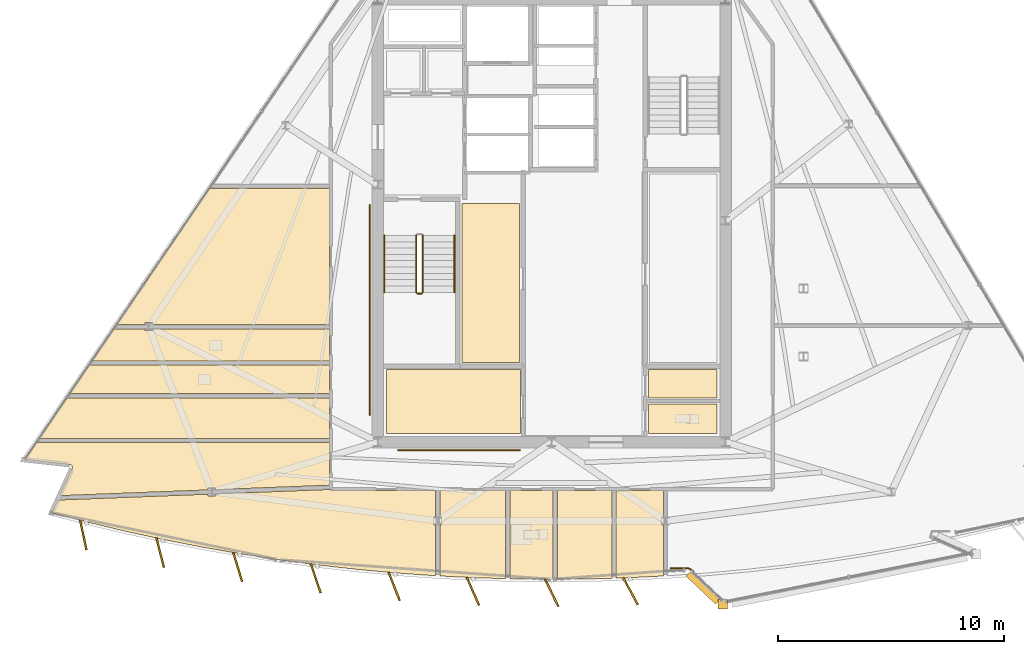
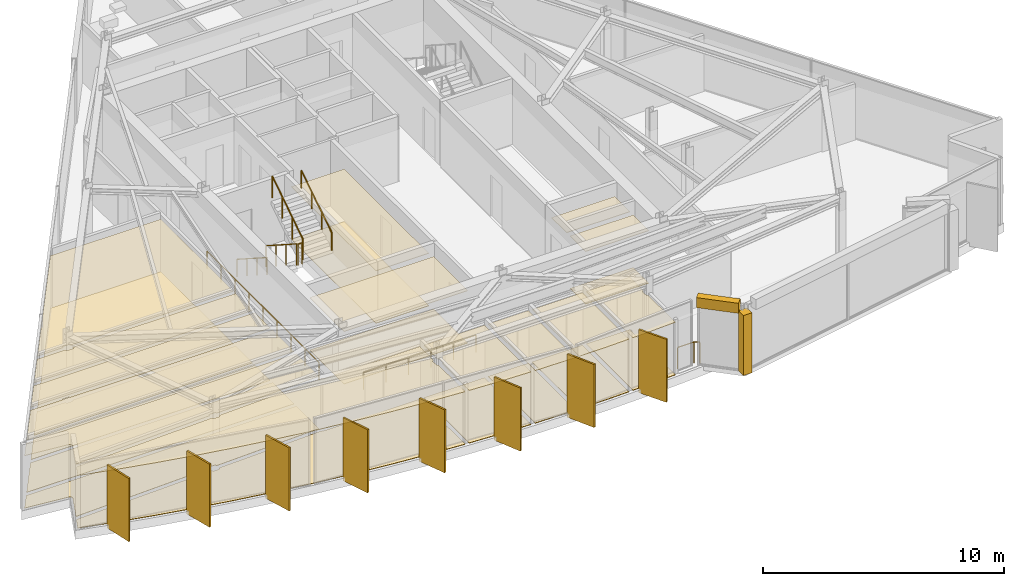
# One storey, part 11 of 14: 29 coverings, 8 railings, 8 shading devices.
"""IFC4 building model written with IfcOpenShell, lengths in metres."""

from ifc_helpers import new_model, si_unit, direction, frame, origin, origin_2d, place, context, subcontext, project, spatial, polyline, rectangle, circle, outline, extrude, material, layer, layer_set, type_object, element, save


model = new_model("IFC4")

# Units and contexts
model_context = context("Model", 3, precision=1e-05, world=origin(), true_north=direction((0.0, 1.0)))
body_context = subcontext(model_context, "Body", "Model", "MODEL_VIEW")
ifc_project = project(units=[si_unit("LENGTHUNIT", "METRE"), si_unit("AREAUNIT", "SQUARE_METRE"), si_unit("VOLUMEUNIT", "CUBIC_METRE"), si_unit("PLANEANGLEUNIT", "RADIAN"), si_unit("MASSUNIT", "GRAM", prefix="KILO")], contexts=[model_context])

# Site, building, storey
site_placement = place(None, origin())
site = spatial("IfcSite", under=ifc_project, at=site_placement, CompositionType="ELEMENT")
building_placement = place(site_placement, origin())
building = spatial("IfcBuilding", under=site, at=building_placement, Name="Savorim Split Tower", CompositionType="ELEMENT")
storey_placement = place(building_placement, frame((0.0, 0.0, 294.0)))
storey = spatial("IfcBuildingStorey", under=building, at=storey_placement, Name="L78", CompositionType="ELEMENT", Elevation=294.0)

# Coverings
ifc_material_1 = material(Name="Mineral Fibre Acoustic Ceiling")
ifc_layer_1 = layer(ifc_material_1, 0.02490234375)
ifc_layer_set_1 = layer_set([ifc_layer_1], Name="COV-CEIL-25")
covering_type_1 = type_object("IfcCoveringType", Name="COV-CEIL-25", PredefinedType="CEILING", material=ifc_layer_set_1)
covering_1_placement = place(storey_placement, frame((0.0, 0.0, 2.659912109375)))
element("IfcCovering", 1, at=covering_1_placement, inside=storey, type_object=covering_type_1, Name="L78 Housekeeping and Parcel Room Acoustic Ceiling", PredefinedType="CEILING", context=body_context, shape_type="SweptSolid", body=[
    extrude(outline(polyline([(-3.969970703125, 1.169921875), (-3.969970703125, -5.8701171875), (-1.429931640625, -5.8701171875), (-1.429931640625, 1.169921875), (-3.969970703125, 1.169921875)])), origin(), (0.0, 0.0, 1.0), 0.025146484375),
])
covering_2_placement = place(storey_placement, frame((0.0, 0.0, 2.659912109375)))
element("IfcCovering", 2, at=covering_2_placement, inside=storey, type_object=covering_type_1, Name="L78 Housekeeping Store Acoustic Ceiling", PredefinedType="CEILING", context=body_context, shape_type="SweptSolid", body=[
    extrude(outline(polyline([(-7.320068359375, -6.179931640625), (-7.320068359375, -9.02001953125), (-1.3798828125, -9.02001953125), (-1.3798828125, -6.179931640625), (-7.320068359375, -6.179931640625)])), origin(), (0.0, 0.0, 1.0), 0.025146484375),
])
covering_3_placement = place(storey_placement, frame((0.0, 0.0, 2.659912109375)))
element("IfcCovering", 3, at=covering_3_placement, inside=storey, type_object=covering_type_1, Name="L78 Accessible WC Acoustic Ceiling", PredefinedType="CEILING", context=body_context, shape_type="SweptSolid", body=[
    extrude(outline(polyline([(4.280029296875, -7.719970703125), (4.280029296875, -9.02001953125), (7.320068359375, -9.02001953125), (7.320068359375, -7.719970703125), (4.280029296875, -7.719970703125)])), origin(), (0.0, 0.0, 1.0), 0.025146484375),
])
covering_4_placement = place(storey_placement, frame((0.0, 0.0, 2.659912109375)))
element("IfcCovering", 4, at=covering_4_placement, inside=storey, type_object=covering_type_1, Name="L78 Cleaning Store Acoustic Ceiling", PredefinedType="CEILING", context=body_context, shape_type="SweptSolid", body=[
    extrude(outline(polyline([(4.280029296875, -6.179931640625), (4.280029296875, -7.43994140625), (7.320068359375, -7.43994140625), (7.320068359375, -6.179931640625), (4.280029296875, -6.179931640625)])), origin(), (0.0, 0.0, 1.0), 0.025146484375),
])
covering_5_placement = place(storey_placement, frame((0.0, 0.0, 2.659912109375)))
element("IfcCovering", 5, at=covering_5_placement, inside=storey, type_object=covering_type_1, Name="L78 Communal Lounge Acoustic Ceiling", PredefinedType="CEILING", context=body_context, shape_type="SweptSolid", body=[
    extrude(outline(polyline([(-17.67578125, -4.11376953125), (-17.67578125, -4.193603515625), (-9.840087890625, -4.193603515625), (-9.840087890625, 1.8349609375), (-15.15087890625, 1.8349609375), (-19.252197265625, -4.193603515625), (-18.0048828125, -4.193603515625), (-18.0048828125, -4.11376953125), (-17.67578125, -4.11376953125)])), origin(), (0.0, 0.0, 1.0), 0.025146484375),
])
covering_6_placement = place(storey_placement, frame((0.0, 0.0, 2.659912109375)))
element("IfcCovering", 6, at=covering_6_placement, inside=storey, type_object=covering_type_1, Name="L78 Shared Kitchen Acoustic Ceiling", PredefinedType="CEILING", context=body_context, shape_type="SweptSolid", body=[
    extrude(outline(polyline([(-19.25634765625, -4.3837890625), (-19.351318359375, -4.3837890625), (-19.351318359375, -4.33935546875), (-20.343505859375, -5.798095703125), (-9.840087890625, -5.798095703125), (-9.840087890625, -4.3837890625), (-17.67578125, -4.3837890625), (-17.67578125, -4.463623046875), (-18.0048828125, -4.463623046875), (-18.0048828125, -4.3837890625), (-19.25634765625, -4.3837890625)])), origin(), (0.0, 0.0, 1.0), 0.025146484375),
])
covering_7_placement = place(storey_placement, frame((0.0, 0.0, 2.659912109375)))
element("IfcCovering", 7, at=covering_7_placement, inside=storey, type_object=covering_type_1, Name="L78 Community Laundry Room Acoustic Ceiling", PredefinedType="CEILING", context=body_context, shape_type="SweptSolid", body=[
    extrude(outline(polyline([(-9.840087890625, -7.256103515625), (-9.840087890625, -5.988037109375), (-20.472900390625, -5.988037109375), (-21.33544921875, -7.256103515625), (-9.840087890625, -7.256103515625)])), origin(), (0.0, 0.0, 1.0), 0.025146484375),
])
covering_8_placement = place(storey_placement, frame((0.0, 0.0, 2.659912109375)))
element("IfcCovering", 8, at=covering_8_placement, inside=storey, type_object=covering_type_1, Name="L78 Quiet Study Room Acoustic Ceiling", PredefinedType="CEILING", context=body_context, shape_type="SweptSolid", body=[
    extrude(outline(polyline([(-9.840087890625, -9.228271484375), (-9.840087890625, -7.446044921875), (-21.464599609375, -7.446044921875), (-22.677001953125, -9.228271484375), (-9.840087890625, -9.228271484375)])), origin(), (0.0, 0.0, 1.0), 0.025146484375),
])
covering_9_placement = place(storey_placement, frame((0.0, 0.0, 2.659912109375)))
element("IfcCovering", 9, at=covering_9_placement, inside=storey, type_object=covering_type_1, Name="L78 Quiet Study Room Acoustic Ceiling", PredefinedType="CEILING", context=body_context, shape_type="SweptSolid", body=[
    extrude(outline(polyline([(-21.21337890625, -10.5068359375), (-21.21337890625, -10.518798828125), (-21.214111328125, -10.530517578125), (-21.21630859375, -10.54248046875), (-21.2197265625, -10.5537109375), (-21.22412109375, -10.56494140625), (-21.77685546875, -11.767822265625), (-15.20166015625, -11.5126953125), (-15.20166015625, -11.426513671875), (-14.872802734375, -11.426513671875), (-14.872802734375, -11.5), (-9.843505859375, -11.30517578125), (-9.840087890625, -11.304931640625), (-9.840087890625, -9.418212890625), (-22.806396484375, -9.418212890625), (-23.3193359375, -10.172119140625), (-21.31982421875, -10.3955078125), (-21.30810546875, -10.3974609375), (-21.296630859375, -10.400390625), (-21.285400390625, -10.40478515625), (-21.274658203125, -10.409912109375), (-21.2646484375, -10.41650390625), (-21.255126953125, -10.423583984375), (-21.24658203125, -10.431884765625), (-21.23876953125, -10.44091796875), (-21.231689453125, -10.45068359375), (-21.225830078125, -10.4609375), (-21.22119140625, -10.471923828125), (-21.21728515625, -10.4833984375), (-21.21484375, -10.494873046875), (-21.21337890625, -10.5068359375)])), origin(), (0.0, 0.0, 1.0), 0.025146484375),
])
covering_10_placement = place(storey_placement, frame((0.0, 0.0, 2.659912109375)))
element("IfcCovering", 10, at=covering_10_placement, inside=storey, type_object=covering_type_1, Name="L78 Maker Workshop Acoustic Ceiling", PredefinedType="CEILING", context=body_context, shape_type="SweptSolid", body=[
    extrude(outline(polyline([(-10.37109375, -14.83154296875), (-8.649169921875, -15.026123046875), (-6.923583984375, -15.185546875), (-5.1953125, -15.3095703125), (-5.134765625, -15.3125), (-5.134765625, -13.06005859375), (-5.2041015625, -13.06005859375), (-5.2041015625, -12.710205078125), (-5.134765625, -12.710205078125), (-5.134765625, -11.5400390625), (-9.699951171875, -11.5400390625), (-9.713623046875, -11.539306640625), (-9.727294921875, -11.537353515625), (-9.740478515625, -11.533935546875), (-9.753662109375, -11.529296875), (-9.76611328125, -11.5234375), (-9.77783203125, -11.516357421875), (-9.788818359375, -11.50830078125), (-9.799072265625, -11.4990234375), (-9.8037109375, -11.49365234375), (-14.872802734375, -11.690185546875), (-14.872802734375, -11.776611328125), (-15.20166015625, -11.776611328125), (-15.20166015625, -11.702880859375), (-21.761474609375, -11.957275390625), (-21.8564453125, -11.9609375), (-21.857177734375, -11.942626953125), (-22.125244140625, -12.526123046875), (-20.5859375, -12.9287109375), (-18.90087890625, -13.332763671875), (-17.2080078125, -13.7021484375), (-15.5078125, -14.036865234375), (-13.801025390625, -14.3369140625), (-12.088623046875, -14.601806640625), (-10.37109375, -14.83154296875)])), origin(), (0.0, 0.0, 1.0), 0.025146484375),
])
covering_11_placement = place(storey_placement, frame((0.0, 0.0, 2.659912109375)))
element("IfcCovering", 11, at=covering_11_placement, inside=storey, type_object=covering_type_1, Name="L78 Quiet Study Room Acoustic Ceiling", PredefinedType="CEILING", context=body_context, shape_type="SweptSolid", body=[
    extrude(outline(polyline([(-4.944580078125, -15.267333984375), (-4.944580078125, -15.322265625), (-3.46484375, -15.398193359375), (-2.041015625, -15.44189453125), (-2.041015625, -11.5400390625), (-4.944580078125, -11.5400390625), (-4.944580078125, -12.710205078125), (-4.875244140625, -12.710205078125), (-4.875244140625, -13.06005859375), (-4.944580078125, -13.06005859375), (-4.944580078125, -15.267333984375)])), origin(), (0.0, 0.0, 1.0), 0.025146484375),
])
covering_12_placement = place(storey_placement, frame((0.0, 0.0, 2.659912109375)))
element("IfcCovering", 12, at=covering_12_placement, inside=storey, type_object=covering_type_1, Name="L78 Shared Bathroom Acoustic Ceiling", PredefinedType="CEILING", context=body_context, shape_type="SweptSolid", body=[
    extrude(outline(polyline([(-1.85107421875, -15.447509765625), (-1.732666015625, -15.451171875), (0.0, -15.468994140625), (0.0673828125, -15.46826171875), (0.0673828125, -11.5400390625), (-1.85107421875, -11.5400390625), (-1.85107421875, -15.447509765625)])), origin(), (0.0, 0.0, 1.0), 0.025146484375),
])
covering_13_placement = place(storey_placement, frame((0.0, 0.0, 2.659912109375)))
element("IfcCovering", 13, at=covering_13_placement, inside=storey, type_object=covering_type_1, Name="L78 Quiet Study Room Acoustic Ceiling", PredefinedType="CEILING", context=body_context, shape_type="SweptSolid", body=[
    extrude(outline(polyline([(0.257568359375, -11.5400390625), (0.257568359375, -15.46630859375), (1.732666015625, -15.451171875), (2.668701171875, -15.422607421875), (2.668701171875, -11.5400390625), (0.257568359375, -11.5400390625)])), origin(), (0.0, 0.0, 1.0), 0.025146484375),
])
covering_14_placement = place(storey_placement, frame((0.0, 0.0, 2.659912109375)))
element("IfcCovering", 14, at=covering_14_placement, inside=storey, type_object=covering_type_1, Name="L78 Co-Living Bedroom Acoustic Ceiling", PredefinedType="CEILING", context=body_context, shape_type="SweptSolid", body=[
    extrude(outline(polyline([(4.944580078125, -11.5400390625), (2.858642578125, -11.5400390625), (2.858642578125, -15.416748046875), (3.46484375, -15.398193359375), (4.944580078125, -15.322265625), (4.944580078125, -13.06005859375), (4.875244140625, -13.06005859375), (4.875244140625, -12.710205078125), (4.944580078125, -12.710205078125), (4.944580078125, -11.5400390625)])), origin(), (0.0, 0.0, 1.0), 0.025146484375),
])
ifc_material_2 = material(Name="Porcelain Stoneware Flooring", Category="masonry")
ifc_layer_2 = layer(ifc_material_2, 0.02001953125)
ifc_layer_set_2 = layer_set([ifc_layer_2], Name="COV-FLOR-20")
covering_type_2 = type_object("IfcCoveringType", Name="COV-FLOR-20", PredefinedType="FLOORING", material=ifc_layer_set_2)
covering_15_placement = place(storey_placement, origin())
element("IfcCovering", 15, at=covering_15_placement, inside=storey, type_object=covering_type_2, Name="L78 Housekeeping and Parcel Room Porcelain Flooring", PredefinedType="FLOORING", context=body_context, shape_type="SweptSolid", body=[
    extrude(outline(polyline([(-3.969970703125, 1.169921875), (-3.969970703125, -5.8701171875), (-1.429931640625, -5.8701171875), (-1.429931640625, 1.169921875), (-3.969970703125, 1.169921875)])), origin(), (0.0, 0.0, 1.0), 0.02001953125),
])
covering_16_placement = place(storey_placement, origin())
element("IfcCovering", 16, at=covering_16_placement, inside=storey, type_object=covering_type_2, Name="L78 Housekeeping Store Porcelain Flooring", PredefinedType="FLOORING", context=body_context, shape_type="SweptSolid", body=[
    extrude(outline(polyline([(-7.320068359375, -6.179931640625), (-7.320068359375, -9.02001953125), (-1.3798828125, -9.02001953125), (-1.3798828125, -6.179931640625), (-7.320068359375, -6.179931640625)])), origin(), (0.0, 0.0, 1.0), 0.02001953125),
])
covering_17_placement = place(storey_placement, origin())
element("IfcCovering", 17, at=covering_17_placement, inside=storey, type_object=covering_type_2, Name="L78 Accessible WC Porcelain Flooring", PredefinedType="FLOORING", context=body_context, shape_type="SweptSolid", body=[
    extrude(outline(polyline([(4.280029296875, -7.719970703125), (4.280029296875, -9.02001953125), (7.320068359375, -9.02001953125), (7.320068359375, -7.719970703125), (4.280029296875, -7.719970703125)])), origin(), (0.0, 0.0, 1.0), 0.02001953125),
])
covering_18_placement = place(storey_placement, origin())
element("IfcCovering", 18, at=covering_18_placement, inside=storey, type_object=covering_type_2, Name="L78 Communal Lounge Porcelain Flooring", PredefinedType="FLOORING", context=body_context, shape_type="SweptSolid", body=[
    extrude(outline(polyline([(-17.67578125, -4.11376953125), (-17.67578125, -4.193603515625), (-9.840087890625, -4.193603515625), (-9.840087890625, 1.8349609375), (-15.15087890625, 1.8349609375), (-19.252197265625, -4.193603515625), (-18.0048828125, -4.193603515625), (-18.0048828125, -4.11376953125), (-17.67578125, -4.11376953125)])), origin(), (0.0, 0.0, 1.0), 0.02001953125),
])
covering_19_placement = place(storey_placement, origin())
element("IfcCovering", 19, at=covering_19_placement, inside=storey, type_object=covering_type_2, Name="L78 Shared Kitchen Porcelain Flooring", PredefinedType="FLOORING", context=body_context, shape_type="SweptSolid", body=[
    extrude(outline(polyline([(-19.25634765625, -4.3837890625), (-19.351318359375, -4.3837890625), (-19.351318359375, -4.33935546875), (-20.343505859375, -5.798095703125), (-9.840087890625, -5.798095703125), (-9.840087890625, -4.3837890625), (-17.67578125, -4.3837890625), (-17.67578125, -4.463623046875), (-18.0048828125, -4.463623046875), (-18.0048828125, -4.3837890625), (-19.25634765625, -4.3837890625)])), origin(), (0.0, 0.0, 1.0), 0.02001953125),
])
covering_20_placement = place(storey_placement, origin())
element("IfcCovering", 20, at=covering_20_placement, inside=storey, type_object=covering_type_2, Name="L78 Community Laundry Room Porcelain Flooring", PredefinedType="FLOORING", context=body_context, shape_type="SweptSolid", body=[
    extrude(outline(polyline([(-9.840087890625, -7.256103515625), (-9.840087890625, -5.988037109375), (-20.472900390625, -5.988037109375), (-21.33544921875, -7.256103515625), (-9.840087890625, -7.256103515625)])), origin(), (0.0, 0.0, 1.0), 0.02001953125),
])
covering_21_placement = place(storey_placement, origin())
element("IfcCovering", 21, at=covering_21_placement, inside=storey, type_object=covering_type_2, Name="L78 Quiet Study Room Porcelain Flooring", PredefinedType="FLOORING", context=body_context, shape_type="SweptSolid", body=[
    extrude(outline(polyline([(-9.840087890625, -9.228271484375), (-9.840087890625, -7.446044921875), (-21.464599609375, -7.446044921875), (-22.677001953125, -9.228271484375), (-9.840087890625, -9.228271484375)])), origin(), (0.0, 0.0, 1.0), 0.02001953125),
])
covering_22_placement = place(storey_placement, origin())
element("IfcCovering", 22, at=covering_22_placement, inside=storey, type_object=covering_type_2, Name="L78 Quiet Study Room Porcelain Flooring", PredefinedType="FLOORING", context=body_context, shape_type="SweptSolid", body=[
    extrude(outline(polyline([(-21.21337890625, -10.5068359375), (-21.21337890625, -10.518798828125), (-21.214111328125, -10.530517578125), (-21.21630859375, -10.54248046875), (-21.2197265625, -10.5537109375), (-21.22412109375, -10.56494140625), (-21.77685546875, -11.767822265625), (-15.20166015625, -11.5126953125), (-15.20166015625, -11.426513671875), (-14.872802734375, -11.426513671875), (-14.872802734375, -11.5), (-9.843505859375, -11.30517578125), (-9.840087890625, -11.304931640625), (-9.840087890625, -9.418212890625), (-22.806396484375, -9.418212890625), (-23.3193359375, -10.172119140625), (-21.31982421875, -10.3955078125), (-21.30810546875, -10.3974609375), (-21.296630859375, -10.400390625), (-21.285400390625, -10.40478515625), (-21.274658203125, -10.409912109375), (-21.2646484375, -10.41650390625), (-21.255126953125, -10.423583984375), (-21.24658203125, -10.431884765625), (-21.23876953125, -10.44091796875), (-21.231689453125, -10.45068359375), (-21.225830078125, -10.4609375), (-21.22119140625, -10.471923828125), (-21.21728515625, -10.4833984375), (-21.21484375, -10.494873046875), (-21.21337890625, -10.5068359375)])), origin(), (0.0, 0.0, 1.0), 0.02001953125),
])
covering_23_placement = place(storey_placement, origin())
element("IfcCovering", 23, at=covering_23_placement, inside=storey, type_object=covering_type_2, Name="L78 Maker Workshop Porcelain Flooring", PredefinedType="FLOORING", context=body_context, shape_type="SweptSolid", body=[
    extrude(outline(polyline([(-10.37109375, -14.83154296875), (-8.649169921875, -15.026123046875), (-6.923583984375, -15.185546875), (-5.1953125, -15.3095703125), (-5.134765625, -15.3125), (-5.134765625, -13.06005859375), (-5.2041015625, -13.06005859375), (-5.2041015625, -12.710205078125), (-5.134765625, -12.710205078125), (-5.134765625, -11.5400390625), (-9.699951171875, -11.5400390625), (-9.713623046875, -11.539306640625), (-9.727294921875, -11.537353515625), (-9.740478515625, -11.533935546875), (-9.753662109375, -11.529296875), (-9.76611328125, -11.5234375), (-9.77783203125, -11.516357421875), (-9.788818359375, -11.50830078125), (-9.799072265625, -11.4990234375), (-9.8037109375, -11.49365234375), (-14.872802734375, -11.690185546875), (-14.872802734375, -11.776611328125), (-15.20166015625, -11.776611328125), (-15.20166015625, -11.702880859375), (-21.761474609375, -11.957275390625), (-21.8564453125, -11.9609375), (-21.857177734375, -11.942626953125), (-22.125244140625, -12.526123046875), (-20.5859375, -12.9287109375), (-18.90087890625, -13.332763671875), (-17.2080078125, -13.7021484375), (-15.5078125, -14.036865234375), (-13.801025390625, -14.3369140625), (-12.088623046875, -14.601806640625), (-10.37109375, -14.83154296875)])), origin(), (0.0, 0.0, 1.0), 0.02001953125),
])
covering_24_placement = place(storey_placement, origin())
element("IfcCovering", 24, at=covering_24_placement, inside=storey, type_object=covering_type_2, Name="L78 Quiet Study Room Porcelain Flooring", PredefinedType="FLOORING", context=body_context, shape_type="SweptSolid", body=[
    extrude(outline(polyline([(-4.944580078125, -15.267333984375), (-4.944580078125, -15.322265625), (-3.46484375, -15.398193359375), (-2.041015625, -15.44189453125), (-2.041015625, -11.5400390625), (-4.944580078125, -11.5400390625), (-4.944580078125, -12.710205078125), (-4.875244140625, -12.710205078125), (-4.875244140625, -13.06005859375), (-4.944580078125, -13.06005859375), (-4.944580078125, -15.267333984375)])), origin(), (0.0, 0.0, 1.0), 0.02001953125),
])
covering_25_placement = place(storey_placement, origin())
element("IfcCovering", 25, at=covering_25_placement, inside=storey, type_object=covering_type_2, Name="L78 Shared Bathroom Porcelain Flooring", PredefinedType="FLOORING", context=body_context, shape_type="SweptSolid", body=[
    extrude(outline(polyline([(-1.85107421875, -15.447509765625), (-1.732666015625, -15.451171875), (0.0, -15.468994140625), (0.0673828125, -15.46826171875), (0.0673828125, -11.5400390625), (-1.85107421875, -11.5400390625), (-1.85107421875, -15.447509765625)])), origin(), (0.0, 0.0, 1.0), 0.02001953125),
])
covering_26_placement = place(storey_placement, origin())
element("IfcCovering", 26, at=covering_26_placement, inside=storey, type_object=covering_type_2, Name="L78 Quiet Study Room Porcelain Flooring", PredefinedType="FLOORING", context=body_context, shape_type="SweptSolid", body=[
    extrude(outline(polyline([(0.257568359375, -11.5400390625), (0.257568359375, -15.46630859375), (1.732666015625, -15.451171875), (2.668701171875, -15.422607421875), (2.668701171875, -11.5400390625), (0.257568359375, -11.5400390625)])), origin(), (0.0, 0.0, 1.0), 0.02001953125),
])
covering_27_placement = place(storey_placement, origin())
element("IfcCovering", 27, at=covering_27_placement, inside=storey, type_object=covering_type_2, Name="L78 Co-Living Bedroom Porcelain Flooring", PredefinedType="FLOORING", context=body_context, shape_type="SweptSolid", body=[
    extrude(outline(polyline([(4.944580078125, -11.5400390625), (2.858642578125, -11.5400390625), (2.858642578125, -15.416748046875), (3.46484375, -15.398193359375), (4.944580078125, -15.322265625), (4.944580078125, -13.06005859375), (4.875244140625, -13.06005859375), (4.875244140625, -12.710205078125), (4.944580078125, -12.710205078125), (4.944580078125, -11.5400390625)])), origin(), (0.0, 0.0, 1.0), 0.02001953125),
])
ifc_material_3 = material(Name="White Porcelain Architectural Cladding")
ifc_layer_3 = layer(ifc_material_3, 0.139892578125)
ifc_layer_set_3 = layer_set([ifc_layer_3], Name="COV-FRM-WHITE")
covering_type_3 = type_object("IfcCoveringType", Name="COV-FRM-WHITE", PredefinedType="CLADDING", material=ifc_layer_set_3)
covering_28_placement = place(storey_placement, frame((0.0, 0.0, 3.080078125)))
element("IfcCovering", 28, at=covering_28_placement, inside=storey, type_object=covering_type_3, Name="L78 Cantilevered Lounge White Upper Cornice Band W", PredefinedType="CLADDING", context=body_context, shape_type="SweptSolid", body=[
    extrude(outline(polyline([(5.9462890625, -15.336181640625), (7.253173828125, -16.57421875), (7.48681640625, -16.327392578125), (6.18017578125, -15.08935546875), (5.9462890625, -15.336181640625)])), origin(), (0.0, 0.0, 1.0), 0.510009765625),
])
covering_29_placement = place(storey_placement, frame((0.0, 0.0, 0.010009765625)))
element("IfcCovering", 29, at=covering_29_placement, inside=storey, type_object=covering_type_3, Name="L78 Cantilevered Lounge White Frame Corner Post 1", PredefinedType="CLADDING", context=body_context, shape_type="SweptSolid", body=[
    extrude(outline(polyline([(7.36865234375, -16.78955078125), (7.78857421875, -16.78955078125), (7.78857421875, -16.369384765625), (7.36865234375, -16.369384765625), (7.36865234375, -16.78955078125)])), origin(), (0.0, 0.0, 1.0), 3.050048828125),
])

# Railings
ifc_material_4 = material(Name="Galvanised Painted Steel Balustrade", Category="steel")
railing_type_1 = type_object("IfcRailingType", Name="RLG-BAL-1100", PredefinedType="BALUSTRADE", material=ifc_material_4)
railing_1_placement = place(storey_placement, frame((5.259521484375, -14.971435546875, 0.0)))
element("IfcRailing", 30, at=railing_1_placement, inside=storey, type_object=railing_type_1, Name="L78 Cantilevered Lounge West Edge Closure Guard", PredefinedType="BALUSTRADE", context=body_context, shape_type="SweptSolid", body=[
    extrude(circle(Radius=0.02392578125, at=origin_2d()), frame((0.0, 0.0, 1.076171875), z_axis=(1.0, 0.0, 0.0), x_axis=(0.0, 1.0, 0.0)), (0.0, 0.0, 1.0), 0.780029296875),
    extrude(circle(Radius=0.02392578125, at=origin_2d()), frame((0.780029296875, 0.0, 1.076171875), z_axis=(0.86357675765, -0.504217397208, 0.0), x_axis=(0.504217397208, 0.86357675765, 0.0)), (0.0, 0.0, 1.0), 0.262939453125),
    extrude(circle(Radius=0.02099609375, at=origin_2d()), origin(), (0.0, 0.0, 1.0), 1.052001953125),
    extrude(circle(Radius=0.02099609375, at=origin_2d()), frame((0.780029296875, 0.0, 0.0)), (0.0, 0.0, 1.0), 1.052001953125),
    extrude(circle(Radius=0.02099609375, at=origin_2d()), frame((1.007080078125, -0.132568359375, 0.0)), (0.0, 0.0, 1.0), 1.052001953125),
])
railing_type_2 = type_object("IfcRailingType", Name="RLG-HR-900", PredefinedType="HANDRAIL", material=ifc_material_4)
railing_2_placement = place(storey_placement, frame((-7.39990234375, -0.25, 0.179931640625)))
element("IfcRailing", 31, at=railing_2_placement, inside=storey, type_object=railing_type_2, Name="L78 ST-1 stair handrail 1", PredefinedType="HANDRAIL", context=body_context, shape_type="SweptSolid", body=[
    extrude(circle(Radius=0.02392578125, at=origin_2d()), frame((0.0, 0.0, 0.8759765625), z_axis=(0.0, -0.841162588446, 0.540782303519), x_axis=(1.0, 0.0, 0.0)), (0.0, 0.0, 1.0), 2.995849609375),
    extrude(circle(Radius=0.02099609375, at=origin_2d()), origin(), (0.0, 0.0, 1.0), 0.851806640625),
    extrude(circle(Radius=0.02099609375, at=origin_2d()), frame((0.0, -0.840087890625, 0.5400390625)), (0.0, 0.0, 1.0), 0.851806640625),
    extrude(circle(Radius=0.02099609375, at=origin_2d()), frame((0.0, -1.679931640625, 1.080078125)), (0.0, 0.0, 1.0), 0.851806640625),
    extrude(circle(Radius=0.02099609375, at=origin_2d()), frame((0.0, -2.52001953125, 1.6201171875)), (0.0, 0.0, 1.0), 0.851806640625),
])
railing_3_placement = place(storey_placement, frame((-4.300048828125, -2.77001953125, 1.97998046875)))
element("IfcRailing", 32, at=railing_3_placement, inside=storey, type_object=railing_type_2, Name="L78 ST-1 stair handrail 2", PredefinedType="HANDRAIL", context=body_context, shape_type="SweptSolid", body=[
    extrude(circle(Radius=0.02392578125, at=origin_2d()), frame((0.0, 0.0, 0.8759765625), z_axis=(0.0, 0.841162588446, 0.540782303519), x_axis=(-1.0, 0.0, 0.0)), (0.0, 0.0, 1.0), 2.995849609375),
    extrude(circle(Radius=0.02099609375, at=origin_2d()), origin(), (0.0, 0.0, 1.0), 0.851806640625),
    extrude(circle(Radius=0.02099609375, at=origin_2d()), frame((0.0, 0.840087890625, 0.5400390625)), (0.0, 0.0, 1.0), 0.851806640625),
    extrude(circle(Radius=0.02099609375, at=origin_2d()), frame((0.0, 1.679931640625, 1.080078125)), (0.0, 0.0, 1.0), 0.851806640625),
    extrude(circle(Radius=0.02099609375, at=origin_2d()), frame((0.0, 2.52001953125, 1.6201171875)), (0.0, 0.0, 1.0), 0.851806640625),
])
railing_4_placement = place(storey_placement, frame((-6.800048828125, -9.75, 0.0)))
element("IfcRailing", 33, at=railing_4_placement, inside=storey, type_object=railing_type_2, Name="L78 Corridor South Accessible Handrail", PredefinedType="HANDRAIL", context=body_context, shape_type="SweptSolid", body=[
    extrude(circle(Radius=0.02392578125, at=origin_2d()), frame((0.0, 0.0, 0.8759765625), z_axis=(1.0, 0.0, 0.0), x_axis=(0.0, 1.0, 0.0)), (0.0, 0.0, 1.0), 5.400146484375),
    extrude(circle(Radius=0.02099609375, at=origin_2d()), origin(), (0.0, 0.0, 1.0), 0.851806640625),
    extrude(circle(Radius=0.02099609375, at=origin_2d()), frame((1.080078125, 0.0, 0.0)), (0.0, 0.0, 1.0), 0.851806640625),
    extrude(circle(Radius=0.02099609375, at=origin_2d()), frame((2.16015625, 0.0, 0.0)), (0.0, 0.0, 1.0), 0.851806640625),
    extrude(circle(Radius=0.02099609375, at=origin_2d()), frame((3.239990234375, 0.0, 0.0)), (0.0, 0.0, 1.0), 0.851806640625),
    extrude(circle(Radius=0.02099609375, at=origin_2d()), frame((4.320068359375, 0.0, 0.0)), (0.0, 0.0, 1.0), 0.851806640625),
    extrude(circle(Radius=0.02099609375, at=origin_2d()), frame((5.400146484375, 0.0, 0.0)), (0.0, 0.0, 1.0), 0.851806640625),
])
railing_5_placement = place(storey_placement, frame((-8.050048828125, -8.199951171875, 0.0)))
element("IfcRailing", 34, at=railing_5_placement, inside=storey, type_object=railing_type_2, Name="L78 Corridor West Accessible Handrail", PredefinedType="HANDRAIL", context=body_context, shape_type="SweptSolid", body=[
    extrude(circle(Radius=0.02392578125, at=origin_2d()), frame((0.0, 0.0, 0.8759765625), z_axis=(0.0, 1.0, 0.0), x_axis=(-1.0, 0.0, 0.0)), (0.0, 0.0, 1.0), 9.300048828125),
    extrude(circle(Radius=0.02099609375, at=origin_2d()), origin(), (0.0, 0.0, 1.0), 0.851806640625),
    extrude(circle(Radius=0.02099609375, at=origin_2d()), frame((0.0, 1.16259765625, 0.0)), (0.0, 0.0, 1.0), 0.851806640625),
    extrude(circle(Radius=0.02099609375, at=origin_2d()), frame((0.0, 2.324951171875, 0.0)), (0.0, 0.0, 1.0), 0.851806640625),
    extrude(circle(Radius=0.02099609375, at=origin_2d()), frame((0.0, 3.487548828125, 0.0)), (0.0, 0.0, 1.0), 0.851806640625),
    extrude(circle(Radius=0.02099609375, at=origin_2d()), frame((0.0, 4.64990234375, 0.0)), (0.0, 0.0, 1.0), 0.851806640625),
    extrude(circle(Radius=0.02099609375, at=origin_2d()), frame((0.0, 5.8125, 0.0)), (0.0, 0.0, 1.0), 0.851806640625),
    extrude(circle(Radius=0.02099609375, at=origin_2d()), frame((0.0, 6.97509765625, 0.0)), (0.0, 0.0, 1.0), 0.851806640625),
    extrude(circle(Radius=0.02099609375, at=origin_2d()), frame((0.0, 8.137451171875, 0.0)), (0.0, 0.0, 1.0), 0.851806640625),
    extrude(circle(Radius=0.02099609375, at=origin_2d()), frame((0.0, 9.300048828125, 0.0)), (0.0, 0.0, 1.0), 0.851806640625),
])
railing_type_3 = type_object("IfcRailingType", Name="RLG-STG-1100", PredefinedType="BALUSTRADE", material=ifc_material_4)
railing_6_placement = place(storey_placement, frame((-6.0, -0.25, 0.179931640625)))
element("IfcRailing", 35, at=railing_6_placement, inside=storey, type_object=railing_type_3, Name="L78 ST-1 stair guard 1", PredefinedType="BALUSTRADE", context=body_context, shape_type="SweptSolid", body=[
    extrude(circle(Radius=0.02392578125, at=origin_2d()), frame((0.0, 0.0, 1.076171875), z_axis=(0.0, -0.841162588446, 0.540782303519), x_axis=(1.0, 0.0, 0.0)), (0.0, 0.0, 1.0), 2.995849609375),
    extrude(circle(Radius=0.02099609375, at=origin_2d()), origin(), (0.0, 0.0, 1.0), 1.052001953125),
    extrude(circle(Radius=0.02099609375, at=origin_2d()), frame((0.0, -0.840087890625, 0.5400390625)), (0.0, 0.0, 1.0), 1.052001953125),
    extrude(circle(Radius=0.02099609375, at=origin_2d()), frame((0.0, -1.679931640625, 1.080078125)), (0.0, 0.0, 1.0), 1.052001953125),
    extrude(circle(Radius=0.02099609375, at=origin_2d()), frame((0.0, -2.52001953125, 1.6201171875)), (0.0, 0.0, 1.0), 1.052001953125),
])
railing_7_placement = place(storey_placement, frame((-5.949951171875, -2.820068359375, 1.800048828125)))
element("IfcRailing", 36, at=railing_7_placement, inside=storey, type_object=railing_type_3, Name="L78 ST-1 stair guard 2", PredefinedType="BALUSTRADE", context=body_context, shape_type="SweptSolid", body=[
    extrude(circle(Radius=0.02392578125, at=origin_2d()), frame((0.0, 0.0, 1.076171875), z_axis=(1.0, 0.0, 0.0), x_axis=(0.0, 1.0, 0.0)), (0.0, 0.0, 1.0), 0.199951171875),
    extrude(circle(Radius=0.02099609375, at=origin_2d()), origin(), (0.0, 0.0, 1.0), 1.052001953125),
    extrude(circle(Radius=0.02099609375, at=origin_2d()), frame((0.199951171875, 0.0, 0.0)), (0.0, 0.0, 1.0), 1.052001953125),
])
railing_8_placement = place(storey_placement, frame((-5.699951171875, -2.77001953125, 1.97998046875)))
element("IfcRailing", 37, at=railing_8_placement, inside=storey, type_object=railing_type_3, Name="L78 ST-1 stair guard 3", PredefinedType="BALUSTRADE", context=body_context, shape_type="SweptSolid", body=[
    extrude(circle(Radius=0.02392578125, at=origin_2d()), frame((0.0, 0.0, 1.076171875), z_axis=(0.0, 0.841162588446, 0.540782303519), x_axis=(-1.0, 0.0, 0.0)), (0.0, 0.0, 1.0), 2.995849609375),
    extrude(circle(Radius=0.02099609375, at=origin_2d()), origin(), (0.0, 0.0, 1.0), 1.052001953125),
    extrude(circle(Radius=0.02099609375, at=origin_2d()), frame((0.0, 0.840087890625, 0.5400390625)), (0.0, 0.0, 1.0), 1.052001953125),
    extrude(circle(Radius=0.02099609375, at=origin_2d()), frame((0.0, 1.679931640625, 1.080078125)), (0.0, 0.0, 1.0), 1.052001953125),
    extrude(circle(Radius=0.02099609375, at=origin_2d()), frame((0.0, 2.52001953125, 1.6201171875)), (0.0, 0.0, 1.0), 1.052001953125),
])

# Shading devices
ifc_material_5 = material(Name="Terracotta Ceramic-Coated Aluminium Fin", Category="masonry")
shading_device_type = type_object("IfcShadingDeviceType", Name="SHD-FIN-1360", PredefinedType="USERDEFINED", material=ifc_material_5)
for number, where, z_axis, x_axis, name in (
    (38, (-20.73095703125, -13.5068359375, -0.2001953125), (0.0, 0.0, 1.0), (0.206721626106, -0.978399800337, 0.0), "L78 Sawtooth Shading Fin 01"),
    (39, (-17.3291015625, -14.28564453125, -0.2001953125), (0.0, 0.0, 1.0), (0.246581250663, -0.969122121727, 0.0), "L78 Sawtooth Shading Fin 02"),
    (40, (-13.898193359375, -14.9248046875, -0.2001953125), (0.0, 0.0, 1.0), (0.286026212504, -0.958221793616, 0.0), "L78 Sawtooth Shading Fin 03"),
    (41, (-10.444091796875, -15.423095703125, -0.2001953125), (0.0, 0.0, 1.0), (0.324993810493, -0.945716143005, 0.0), "L78 Sawtooth Shading Fin 04"),
    (42, (-6.972412109375, -15.779541015625, -0.2001953125), (0.0, 0.0, 1.0), (0.363415461732, -0.931627179817, 0.0), "L78 Sawtooth Shading Fin 05"),
    (43, (-3.489013671875, -15.99365234375, -0.2001953125), (0.0, 0.0, 1.0), (0.401230091723, -0.915977299662, 0.0), "L78 Sawtooth Shading Fin 06"),
    (44, (0.0, -16.06494140625, -0.2001953125), (0.0, 0.0, 1.0), (0.438371146789, -0.898794046299, 0.0), "L78 Sawtooth Shading Fin 07"),
    (45, (3.489013671875, -15.99365234375, -0.2001953125), (0.0, 0.0, 1.0), (0.474778051978, -0.880105562623, 0.0), "L78 Sawtooth Shading Fin 08"),
):
    element("IfcShadingDevice", number, at=place(storey_placement, frame(where, z_axis=z_axis, x_axis=x_axis)), inside=storey, type_object=shading_device_type, Name=name, ObjectType="FIN", PredefinedType="USERDEFINED", context=body_context, shape_type="SweptSolid", body=[
        extrude(rectangle(XDim=1.360107421875, YDim=0.080078125, at=origin_2d()), origin(), (0.0, 0.0, 1.0), 3.199951171875),
    ])

save(model, "model.ifc")
